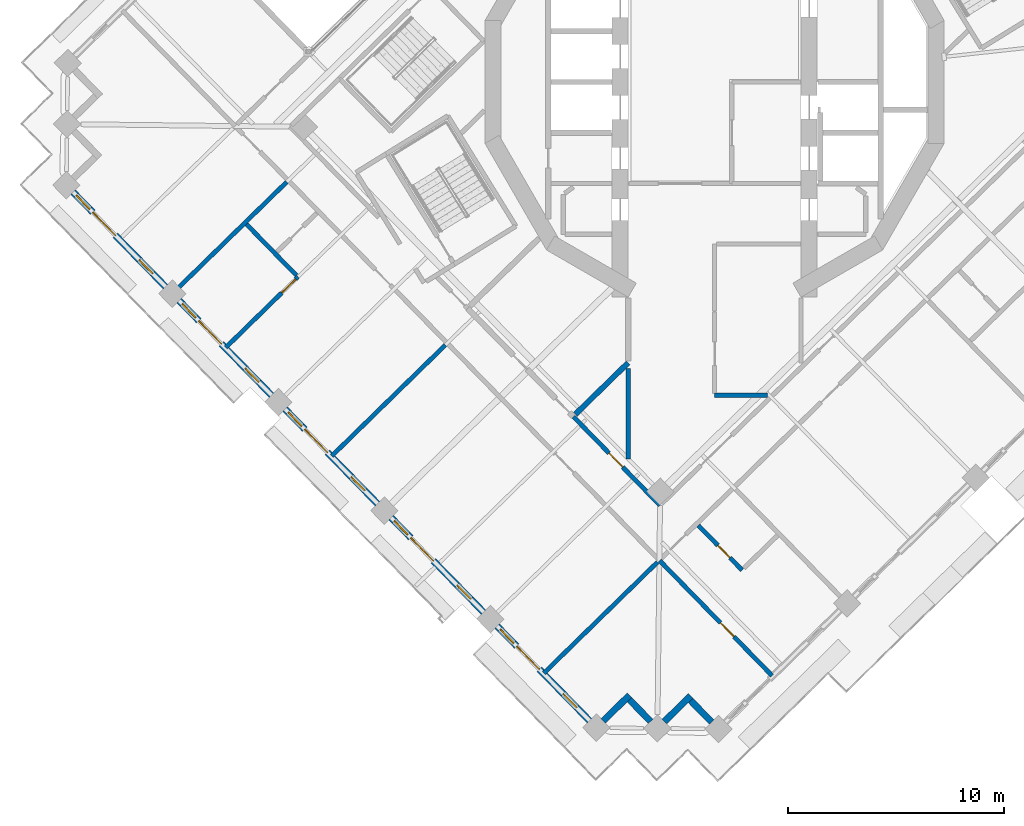
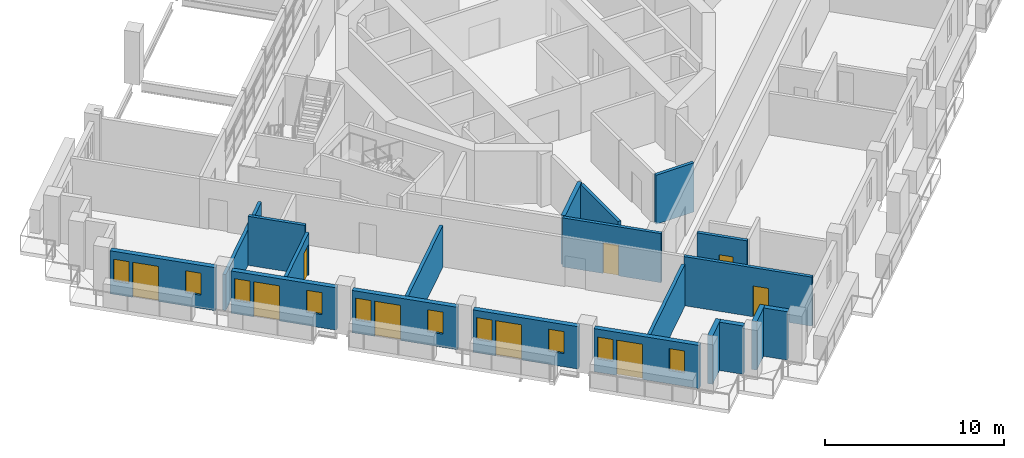
# One storey, part 7 of 21: 20 walls, 10 windows, 9 doors, 19 openings.
"""IFC4 building model written with IfcOpenShell, lengths in metres."""

import ifcopenshell
import ifcopenshell.guid

model = None  # the IFC model being written
_history = None  # IfcOwnerHistory: only IFC2X3 demands one
_inside = {}  # id of a spatial element -> (the spatial element, [elements in it])
_under = {}  # id of a project, library or spatial element -> (it, [spatial elements below it])
_declared = {}  # id of a project -> (the project, [libraries it declares])
_typed = {}  # id of a type object -> (the type object, [elements of that type])
_made_of = {}  # id of a material, layer set ... -> (it, [elements and type objects made of it])


def new_model(schema):
    """Start an empty IFC model of exactly this schema.

    Asked for "IFC4X3", IfcOpenShell would pick the latest addendum, in which some entities
    have other attributes; the version numbers below select the first issue.
    IFC2X3 requires an IfcOwnerHistory on every rooted entity: one is made here for all.
    """
    global model, _history
    if schema == "IFC4X3":
        model = ifcopenshell.file(schema_version=(4, 3, 0, 0))
    else:
        model = ifcopenshell.file(schema=schema)
    _inside.clear()
    _under.clear()
    _declared.clear()
    _typed.clear()
    _made_of.clear()
    _history = None
    if model.schema == "IFC2X3":
        org = make("IfcOrganization", Name="unknown")
        user = make(
            "IfcPersonAndOrganization",
            ThePerson=make("IfcPerson", FamilyName="unknown"),
            TheOrganization=org,
        )
        app = make(
            "IfcApplication",
            ApplicationDeveloper=org,
            Version="unknown",
            ApplicationFullName="unknown",
            ApplicationIdentifier="unknown",
        )
        _history = make(
            "IfcOwnerHistory",
            OwningUser=user,
            OwningApplication=app,
            ChangeAction="ADDED",
            CreationDate=0,
        )
    return model


def make(cls, **values):
    """One entity of the class cls with the attributes given. An attribute that is None is left unset."""
    return model.create_entity(
        cls, **{name: value for name, value in values.items() if value is not None}
    )


def rooted(cls, **values):
    """An entity with a GlobalId (a new one), such as an element, a storey or a relation."""
    return make(cls, GlobalId=ifcopenshell.guid.new(), OwnerHistory=_history, **values)


def si_unit(unit_type, name, prefix=None):
    """IfcSIUnit, for example si_unit("LENGTHUNIT", "METRE", prefix="MILLI")."""
    return make("IfcSIUnit", UnitType=unit_type, Prefix=prefix, Name=name)


def assignment(units):
    """IfcUnitAssignment: the units of a project."""
    return None if units is None else make("IfcUnitAssignment", Units=units)


def point(xyz):
    """IfcCartesianPoint."""
    return None if xyz is None else make("IfcCartesianPoint", Coordinates=xyz)


def direction(xyz):
    """IfcDirection."""
    return None if xyz is None else make("IfcDirection", DirectionRatios=xyz)


def frame(location, z_axis=None, x_axis=None):
    """IfcAxis2Placement3D, a coordinate frame: its origin and axes. An axis left out is left unset."""
    return make(
        "IfcAxis2Placement3D",
        Location=point(location),
        Axis=direction(z_axis),
        RefDirection=direction(x_axis),
    )


def frame_2d(location, x_axis=None):
    """IfcAxis2Placement2D, a coordinate frame in the plane: its origin and x axis."""
    return make(
        "IfcAxis2Placement2D", Location=point(location), RefDirection=direction(x_axis)
    )


def origin():
    """The frame at (0, 0, 0) with its axes left unset."""
    return frame((0.0, 0.0, 0.0))


def place(relative_to, where):
    """IfcLocalPlacement: puts the frame where relative to a parent placement (None: the world)."""
    return make(
        "IfcLocalPlacement", PlacementRelTo=relative_to, RelativePlacement=where
    )


def context(
    kind, dimensions, precision=None, world=None, true_north=None, identifier=None
):
    """IfcGeometricRepresentationContext, for example the 3D "Model" context."""
    return make(
        "IfcGeometricRepresentationContext",
        ContextIdentifier=identifier,
        ContextType=kind,
        CoordinateSpaceDimension=dimensions,
        Precision=precision,
        WorldCoordinateSystem=world,
        TrueNorth=true_north,
    )


def subcontext(parent, identifier, kind, view, scale=None):
    """IfcGeometricRepresentationSubContext, for example "Body" below "Model"."""
    return make(
        "IfcGeometricRepresentationSubContext",
        ContextIdentifier=identifier,
        ContextType=kind,
        ParentContext=parent,
        TargetScale=scale,
        TargetView=view,
    )


def project(units=None, contexts=None):
    """IfcProject with its units and contexts."""
    return rooted(
        "IfcProject",
        Name="project",
        RepresentationContexts=contexts,
        UnitsInContext=assignment(units),
    )


def spatial(cls, under=None, at=None, **own):
    """A site, building, storey or space (cls), placed at a placement, below another one or the project."""
    s = rooted(cls, ObjectPlacement=at, **own)
    if under is not None:
        _under.setdefault(under.id(), (under, []))[1].append(s)
    return s


def profile(cls, at=None, kind="AREA", **sizes):
    """A parametric profile (cls). Its sizes go by their IFC names, for example OverallWidth=200.0."""
    return make(cls, ProfileType=kind, Position=at, **sizes)


def rectangle(**sizes):
    """IfcRectangleProfileDef."""
    return profile("IfcRectangleProfileDef", **sizes)


def extrude(swept, where, along, depth):
    """IfcExtrudedAreaSolid: the profile swept, set in the frame where, extruded along a direction by depth."""
    return make(
        "IfcExtrudedAreaSolid",
        SweptArea=swept,
        Position=where,
        ExtrudedDirection=direction(along),
        Depth=depth,
    )


def shape(context_of_items, identifier, shape_type, items):
    """IfcShapeRepresentation: the items that make up one representation, for example the "Body"."""
    return make(
        "IfcShapeRepresentation",
        ContextOfItems=context_of_items,
        RepresentationIdentifier=identifier,
        RepresentationType=shape_type,
        Items=items,
    )


def material(Name=None, Category=None):
    """IfcMaterial."""
    return make("IfcMaterial", Name=Name, Category=Category)


def layer(
    of_material, thickness, ventilated=None, Name=None, Category=None, Priority=None
):
    """IfcMaterialLayer: one layer of a wall or slab, of a material (None: an air gap)."""
    return make(
        "IfcMaterialLayer",
        Material=of_material,
        LayerThickness=thickness,
        IsVentilated=ventilated,
        Name=Name,
        Category=Category,
        Priority=Priority,
    )


def layer_set(layers, Name=None):
    """IfcMaterialLayerSet."""
    return make("IfcMaterialLayerSet", MaterialLayers=layers, LayerSetName=Name)


def made_of(thing, what):
    """Note that an element or type object is made of a material, layer set ...; save() writes the relation."""
    if what is not None:
        _made_of.setdefault(what.id(), (what, []))[1].append(thing)
    return thing


def type_object(cls, material=None, **own):
    """A type object (cls), such as IfcWallType, which elements share."""
    return made_of(rooted(cls, **own), material)


def element(
    cls,
    number,
    at=None,
    inside=None,
    cuts=None,
    type_object=None,
    material=None,
    context=None,
    identifier="Body",
    shape_type=None,
    held_by="IfcProductDefinitionShape",
    body=None,
    shapes=None,
    **own,
):
    """One element of the class cls, such as IfcWall. Its Tag is "e" and its number.

    at: its placement. inside: the storey or other place that contains it. cuts: it is an
    opening in that element (IfcRelVoidsElement). A single representation is given by context,
    identifier, shape_type and body (its items); several are given by shapes. held_by: the class
    of the entity that holds the representations. save() writes the other relations.
    """
    e = rooted(cls, Tag="e%d" % number, ObjectPlacement=at, **own)
    if body is not None:
        shapes = [shape(context, identifier, shape_type, body)]
    if shapes is not None:
        e.Representation = make(held_by, Representations=shapes)
    if inside is not None:
        _inside.setdefault(inside.id(), (inside, []))[1].append(e)
    if cuts is not None:
        rooted(
            "IfcRelVoidsElement", RelatingBuildingElement=cuts, RelatedOpeningElement=e
        )
    if type_object is not None:
        _typed.setdefault(type_object.id(), (type_object, []))[1].append(e)
    return made_of(e, material)


def fill(opening, filler):
    """IfcRelFillsElement: the door or window that sits in an opening."""
    return rooted(
        "IfcRelFillsElement",
        RelatingOpeningElement=opening,
        RelatedBuildingElement=filler,
    )


def aggregate(whole, parts):
    """IfcRelAggregates: a whole, such as a stair, and the parts it consists of."""
    return rooted("IfcRelAggregates", RelatingObject=whole, RelatedObjects=parts)


def save(model, path):
    """Write the relations noted so far, then the file.

    IfcRelAggregates (storeys below a building ...), IfcRelContainedInSpatialStructure (elements
    in a storey), IfcRelDefinesByType, IfcRelAssociatesMaterial and IfcRelDeclares: one each for
    every whole, place, type object, material and project.
    """
    for whole, parts in _under.values():
        aggregate(whole, parts)
    for where, things in _inside.values():
        rooted(
            "IfcRelContainedInSpatialStructure",
            RelatedElements=things,
            RelatingStructure=where,
        )
    for kind, things in _typed.values():
        rooted("IfcRelDefinesByType", RelatedObjects=things, RelatingType=kind)
    for what, things in _made_of.values():
        rooted("IfcRelAssociatesMaterial", RelatedObjects=things, RelatingMaterial=what)
    for by, libraries in _declared.values():
        rooted("IfcRelDeclares", RelatingContext=by, RelatedDefinitions=libraries)
    model.write(path)


model = new_model("IFC4")

# Units and contexts
model_context = context("Model", 3, precision=1e-05, world=origin(), true_north=direction((0.0, 1.0)))
body_context = subcontext(model_context, "Body", "Model", "MODEL_VIEW")
ifc_project = project(units=[si_unit("LENGTHUNIT", "METRE"), si_unit("AREAUNIT", "SQUARE_METRE"), si_unit("VOLUMEUNIT", "CUBIC_METRE"), si_unit("PLANEANGLEUNIT", "RADIAN"), si_unit("MASSUNIT", "GRAM", prefix="KILO")], contexts=[model_context])

# Site, building, storey
site_placement = place(None, origin())
site = spatial("IfcSite", under=ifc_project, at=site_placement, CompositionType="ELEMENT")
building_placement = place(site_placement, origin())
building = spatial("IfcBuilding", under=site, at=building_placement, Name="Cantera Rosa Tower", CompositionType="ELEMENT")
storey_placement = place(building_placement, frame((0.0, 0.0, 234.199951171875)))
storey = spatial("IfcBuildingStorey", under=building, at=storey_placement, Name="L51", CompositionType="ELEMENT", Elevation=234.199951171875)

# Wall, opening, door
ifc_material_1 = material(Name="Gypsum board partition")
ifc_layer_1 = layer(ifc_material_1, 0.199951171875)
ifc_layer_set_1 = layer_set([ifc_layer_1], Name="CORRIDOR WALL 200 H3350")
wall_type_1 = type_object("IfcWallType", Name="CORRIDOR WALL 200 H3350", PredefinedType="PARTITIONING", material=ifc_layer_set_1)
wall_1_placement = place(storey_placement, frame((-6.530517578125, -15.49560546875, 0.0), z_axis=(0.0, 0.0, 1.0), x_axis=(0.698835362026, -0.715282557303, 0.0)))
wall_1 = element("IfcWall", 1, at=wall_1_placement, inside=storey, type_object=wall_type_1, Name="CORRIDOR WALL L51-040", PredefinedType="PARTITIONING", context=body_context, shape_type="SweptSolid", body=[
    extrude(rectangle(XDim=5.729736328125, YDim=0.199951171875, at=frame_2d((2.86474609375, 0.0))), origin(), (0.0, 0.0, 1.0), 3.35009765625),
])
opening_1_placement = place(wall_1_placement, frame((2.351806640625, 0.0, 0.0)))
opening_1 = element("IfcOpeningElement", 2, at=opening_1_placement, cuts=wall_1, Name="Opening L51-011", PredefinedType="OPENING", context=body_context, shape_type="SweptSolid", body=[
    extrude(rectangle(XDim=0.89990234375, YDim=2.10009765625, at=frame_2d((0.449951171875, 1.050048828125))), frame((0.0, 0.10986328125, 0.0), z_axis=(0.0, -1.0, 0.0), x_axis=(1.0, 0.0, 0.0)), (0.0, 0.0, 1.0), 0.219970703125),
])
ifc_material_2 = material(Name="Timber door leaf", Category="wood")
door_type_1 = type_object("IfcDoorType", Name="SERVICE DOOR 900x2100", OperationType="NOTDEFINED", PredefinedType="DOOR", material=ifc_material_2)
door_1_placement = place(opening_1_placement, origin())
door_1 = element("IfcDoor", 3, at=door_1_placement, inside=storey, type_object=door_type_1, Name="DOOR L51-011", OperationType="NOTDEFINED", OverallHeight=2.10009765625, OverallWidth=0.89990234375, PredefinedType="DOOR", context=body_context, shape_type="SweptSolid", body=[
    extrude(rectangle(XDim=0.89990234375, YDim=2.10009765625, at=frame_2d((0.449951171875, 1.050048828125))), frame((0.0, 0.02490234375, 0.0), z_axis=(0.0, -1.0, 0.0), x_axis=(1.0, 0.0, 0.0)), (0.0, 0.0, 1.0), 0.050048828125),
])
fill(opening_1, door_1)

# Walls
wall_2_placement = place(storey_placement, frame((-4.0, -13.25537109375, 0.0), z_axis=(0.0, 0.0, 1.0), x_axis=(0.0, -1.0, 0.0)))
element("IfcWall", 4, at=wall_2_placement, inside=storey, type_object=wall_type_1, Name="CORRIDOR WALL L51-046", PredefinedType="PARTITIONING", context=body_context, shape_type="SweptSolid", body=[
    extrude(rectangle(XDim=4.1865234375, YDim=0.199951171875, at=frame_2d((2.09326171875, 0.0))), origin(), (0.0, 0.0, 1.0), 3.35009765625),
])
wall_3_placement = place(storey_placement, frame((0.0, -14.5, 0.0), z_axis=(0.0, 0.0, 1.0), x_axis=(1.0, 0.0, 0.0)))
element("IfcWall", 5, at=wall_3_placement, inside=storey, type_object=wall_type_1, Name="CORRIDOR WALL L51-056", PredefinedType="PARTITIONING", context=body_context, shape_type="SweptSolid", body=[
    extrude(rectangle(XDim=2.44775390625, YDim=0.199951171875, at=frame_2d((1.223876953125, 0.0))), origin(), (0.0, 0.0, 1.0), 3.35009765625),
])
ifc_material_3 = material(Name="Hollow clay masonry with cantera stone cladding", Category="masonry")
ifc_layer_2 = layer(ifc_material_3, 0.300048828125)
ifc_layer_set_2 = layer_set([ifc_layer_2], Name="EW-LOGGIA 300")
wall_type_2 = type_object("IfcWallType", Name="EW-LOGGIA 300", PredefinedType="SOLIDWALL", material=ifc_layer_set_2)
wall_4_placement = place(storey_placement, frame((-5.15283203125, -29.56982421875, 0.0), z_axis=(0.0, 0.0, 1.0), x_axis=(0.715316077832, 0.69880105094, 0.0)))
element("IfcWall", 6, at=wall_4_placement, inside=storey, type_object=wall_type_2, Name="EN-L51-W19a", PredefinedType="SOLIDWALL", context=body_context, shape_type="SweptSolid", body=[
    extrude(rectangle(XDim=1.699951171875, YDim=0.300048828125, at=frame_2d((0.85009765625, 0.0))), origin(), (0.0, 0.0, 1.0), 3.300048828125),
])
wall_5_placement = place(storey_placement, frame((-3.939208984375, -28.593994140625, 0.0), z_axis=(0.0, 0.0, 1.0), x_axis=(0.698861982187, -0.715256548278, 0.0)))
element("IfcWall", 7, at=wall_5_placement, inside=storey, type_object=wall_type_2, Name="EN-L51-W19b", PredefinedType="SOLIDWALL", context=body_context, shape_type="SweptSolid", body=[
    extrude(rectangle(XDim=1.39990234375, YDim=0.300048828125, at=frame_2d((0.699951171875, 0.0))), origin(), (0.0, 0.0, 1.0), 3.300048828125),
])
wall_6_placement = place(storey_placement, frame((-2.324462890625, -29.602783203125, 0.0), z_axis=(0.0, 0.0, 1.0), x_axis=(0.715316077832, 0.69880105094, 0.0)))
element("IfcWall", 8, at=wall_6_placement, inside=storey, type_object=wall_type_2, Name="EN-L51-W20a", PredefinedType="SOLIDWALL", context=body_context, shape_type="SweptSolid", body=[
    extrude(rectangle(XDim=1.699951171875, YDim=0.300048828125, at=frame_2d((0.85009765625, 0.0))), origin(), (0.0, 0.0, 1.0), 3.300048828125),
])
wall_7_placement = place(storey_placement, frame((-1.111083984375, -28.626953125, 0.0), z_axis=(0.0, 0.0, 1.0), x_axis=(0.698951192766, -0.71516937164, 0.0)))
element("IfcWall", 9, at=wall_7_placement, inside=storey, type_object=wall_type_2, Name="EN-L51-W20b", PredefinedType="SOLIDWALL", context=body_context, shape_type="SweptSolid", body=[
    extrude(rectangle(XDim=1.39990234375, YDim=0.300048828125, at=frame_2d((0.699951171875, 0.0))), origin(), (0.0, 0.0, 1.0), 3.300048828125),
])

# Wall, openings, windows, door
ifc_material_4 = material(Name="Hollow clay masonry with cantera stone cladding", Category="masonry")
ifc_layer_3 = layer(ifc_material_4, 0.300048828125)
ifc_layer_set_3 = layer_set([ifc_layer_3], Name="EW-LOGGIA 300 H2890")
wall_type_3 = type_object("IfcWallType", Name="EW-LOGGIA 300 H2890", PredefinedType="SOLIDWALL", material=ifc_layer_set_3)
wall_8_placement = place(storey_placement, frame((-24.783203125, -10.120849609375, 0.0), z_axis=(0.0, 0.0, 1.0), x_axis=(0.698800768177, -0.715316354067, 0.0)))
wall_8 = element("IfcWall", 10, at=wall_8_placement, inside=storey, type_object=wall_type_3, Name="EN-L51-W15", PredefinedType="SOLIDWALL", context=body_context, shape_type="SweptSolid", body=[
    extrude(rectangle(XDim=6.119873046875, YDim=0.300048828125, at=frame_2d((3.06005859375, 0.0))), origin(), (0.0, 0.0, 1.0), 2.89013671875),
])
opening_2_placement = place(wall_8_placement, frame((0.199951171875, 0.0, 0.89990234375)))
opening_2 = element("IfcOpeningElement", 11, at=opening_2_placement, cuts=wall_8, Name="Opening L51-W25", PredefinedType="OPENING", context=body_context, shape_type="SweptSolid", body=[
    extrude(rectangle(XDim=0.89990234375, YDim=1.5, at=frame_2d((0.449951171875, 0.75))), frame((0.0, 0.159912109375, 0.0), z_axis=(0.0, -1.0, 0.0), x_axis=(1.0, 0.0, 0.0)), (0.0, 0.0, 1.0), 0.320068359375),
])
opening_3_placement = place(wall_8_placement, frame((1.300048828125, 0.0, 0.0)))
opening_3 = element("IfcOpeningElement", 12, at=opening_3_placement, cuts=wall_8, Name="Opening L51-TD26", PredefinedType="OPENING", context=body_context, shape_type="SweptSolid", body=[
    extrude(rectangle(XDim=1.5, YDim=2.39990234375, at=frame_2d((0.75, 1.199951171875))), frame((0.0, 0.159912109375, 0.0), z_axis=(0.0, -1.0, 0.0), x_axis=(1.0, 0.0, 0.0)), (0.0, 0.0, 1.0), 0.320068359375),
])
opening_4_placement = place(wall_8_placement, frame((4.364990234375, 0.0, 0.89990234375)))
opening_4 = element("IfcOpeningElement", 13, at=opening_4_placement, cuts=wall_8, Name="Opening L51-W27", PredefinedType="OPENING", context=body_context, shape_type="SweptSolid", body=[
    extrude(rectangle(XDim=0.89990234375, YDim=1.5, at=frame_2d((0.449951171875, 0.75))), frame((0.0, 0.159912109375, 0.0), z_axis=(0.0, -1.0, 0.0), x_axis=(1.0, 0.0, 0.0)), (0.0, 0.0, 1.0), 0.320068359375),
])
ifc_material_5 = material(Name="Aluminium frame with clear glass", Category="aluminium")
window_type = type_object("IfcWindowType", Name="Residential window 900x1500", PartitioningType="SINGLE_PANEL", PredefinedType="WINDOW", material=ifc_material_5)
window_1_placement = place(opening_2_placement, origin())
window_1 = element("IfcWindow", 14, at=window_1_placement, inside=storey, type_object=window_type, Name="WINDOW L51-W25", OverallHeight=1.5, OverallWidth=0.89990234375, PartitioningType="SINGLE_PANEL", PredefinedType="WINDOW", context=body_context, shape_type="SweptSolid", body=[
    extrude(rectangle(XDim=0.89990234375, YDim=1.5, at=frame_2d((0.449951171875, 0.75))), frame((0.0, 0.030029296875, 0.0), z_axis=(0.0, -1.0, 0.0), x_axis=(1.0, 0.0, 0.0)), (0.0, 0.0, 1.0), 0.06005859375),
])
fill(opening_2, window_1)
window_2_placement = place(opening_4_placement, origin())
window_2 = element("IfcWindow", 15, at=window_2_placement, inside=storey, type_object=window_type, Name="WINDOW L51-W27", OverallHeight=1.5, OverallWidth=0.89990234375, PartitioningType="SINGLE_PANEL", PredefinedType="WINDOW", context=body_context, shape_type="SweptSolid", body=[
    extrude(rectangle(XDim=0.89990234375, YDim=1.5, at=frame_2d((0.449951171875, 0.75))), frame((0.0, 0.030029296875, 0.0), z_axis=(0.0, -1.0, 0.0), x_axis=(1.0, 0.0, 0.0)), (0.0, 0.0, 1.0), 0.06005859375),
])
fill(opening_4, window_2)
ifc_material_6 = material(Name="Aluminium frame with clear glass", Category="aluminium")
door_type_2 = type_object("IfcDoorType", Name="TD-R 1500x2400", OperationType="NOTDEFINED", PredefinedType="DOOR", material=ifc_material_6)
door_2_placement = place(opening_3_placement, origin())
door_2 = element("IfcDoor", 16, at=door_2_placement, inside=storey, type_object=door_type_2, Name="LOGGIA DOOR L51-TD26", OperationType="SLIDING_TO_LEFT", OverallHeight=2.39990234375, OverallWidth=1.5, PredefinedType="DOOR", context=body_context, shape_type="SweptSolid", body=[
    extrude(rectangle(XDim=1.5, YDim=2.39990234375, at=frame_2d((0.75, 1.199951171875))), frame((0.0, 0.02490234375, 0.0), z_axis=(0.0, -1.0, 0.0), x_axis=(1.0, 0.0, 0.0)), (0.0, 0.0, 1.0), 0.050048828125),
])
fill(opening_3, door_2)

wall_9_placement = place(storey_placement, frame((-19.87744140625, -15.142333984375, 0.0), z_axis=(0.0, 0.0, 1.0), x_axis=(0.698841120217, -0.71527693147, 0.0)))
wall_9 = element("IfcWall", 17, at=wall_9_placement, inside=storey, type_object=wall_type_3, Name="EN-L51-W16", PredefinedType="SOLIDWALL", context=body_context, shape_type="SweptSolid", body=[
    extrude(rectangle(XDim=6.119873046875, YDim=0.300048828125, at=frame_2d((3.06005859375, 0.0))), origin(), (0.0, 0.0, 1.0), 2.89013671875),
])
opening_5_placement = place(wall_9_placement, frame((0.199951171875, 0.0, 0.89990234375)))
opening_5 = element("IfcOpeningElement", 18, at=opening_5_placement, cuts=wall_9, Name="Opening L51-W28", PredefinedType="OPENING", context=body_context, shape_type="SweptSolid", body=[
    extrude(rectangle(XDim=0.89990234375, YDim=1.5, at=frame_2d((0.449951171875, 0.75))), frame((0.0, 0.159912109375, 0.0), z_axis=(0.0, -1.0, 0.0), x_axis=(1.0, 0.0, 0.0)), (0.0, 0.0, 1.0), 0.320068359375),
])
opening_6_placement = place(wall_9_placement, frame((1.300048828125, 0.0, 0.0)))
opening_6 = element("IfcOpeningElement", 19, at=opening_6_placement, cuts=wall_9, Name="Opening L51-TD29", PredefinedType="OPENING", context=body_context, shape_type="SweptSolid", body=[
    extrude(rectangle(XDim=1.5, YDim=2.39990234375, at=frame_2d((0.75, 1.199951171875))), frame((0.0, 0.159912109375, 0.0), z_axis=(0.0, -1.0, 0.0), x_axis=(1.0, 0.0, 0.0)), (0.0, 0.0, 1.0), 0.320068359375),
])
opening_7_placement = place(wall_9_placement, frame((4.364990234375, 0.0, 0.89990234375)))
opening_7 = element("IfcOpeningElement", 20, at=opening_7_placement, cuts=wall_9, Name="Opening L51-W30", PredefinedType="OPENING", context=body_context, shape_type="SweptSolid", body=[
    extrude(rectangle(XDim=0.89990234375, YDim=1.5, at=frame_2d((0.449951171875, 0.75))), frame((0.0, 0.159912109375, 0.0), z_axis=(0.0, -1.0, 0.0), x_axis=(1.0, 0.0, 0.0)), (0.0, 0.0, 1.0), 0.320068359375),
])
window_3_placement = place(opening_5_placement, origin())
window_3 = element("IfcWindow", 21, at=window_3_placement, inside=storey, type_object=window_type, Name="WINDOW L51-W28", OverallHeight=1.5, OverallWidth=0.89990234375, PartitioningType="SINGLE_PANEL", PredefinedType="WINDOW", context=body_context, shape_type="SweptSolid", body=[
    extrude(rectangle(XDim=0.89990234375, YDim=1.5, at=frame_2d((0.449951171875, 0.75))), frame((0.0, 0.030029296875, 0.0), z_axis=(0.0, -1.0, 0.0), x_axis=(1.0, 0.0, 0.0)), (0.0, 0.0, 1.0), 0.06005859375),
])
fill(opening_5, window_3)
window_4_placement = place(opening_7_placement, origin())
window_4 = element("IfcWindow", 22, at=window_4_placement, inside=storey, type_object=window_type, Name="WINDOW L51-W30", OverallHeight=1.5, OverallWidth=0.89990234375, PartitioningType="SINGLE_PANEL", PredefinedType="WINDOW", context=body_context, shape_type="SweptSolid", body=[
    extrude(rectangle(XDim=0.89990234375, YDim=1.5, at=frame_2d((0.449951171875, 0.75))), frame((0.0, 0.030029296875, 0.0), z_axis=(0.0, -1.0, 0.0), x_axis=(1.0, 0.0, 0.0)), (0.0, 0.0, 1.0), 0.06005859375),
])
fill(opening_7, window_4)
door_3_placement = place(opening_6_placement, origin())
door_3 = element("IfcDoor", 23, at=door_3_placement, inside=storey, type_object=door_type_2, Name="LOGGIA DOOR L51-TD29", OperationType="SLIDING_TO_LEFT", OverallHeight=2.39990234375, OverallWidth=1.5, PredefinedType="DOOR", context=body_context, shape_type="SweptSolid", body=[
    extrude(rectangle(XDim=1.5, YDim=2.39990234375, at=frame_2d((0.75, 1.199951171875))), frame((0.0, 0.02490234375, 0.0), z_axis=(0.0, -1.0, 0.0), x_axis=(1.0, 0.0, 0.0)), (0.0, 0.0, 1.0), 0.050048828125),
])
fill(opening_6, door_3)

wall_10_placement = place(storey_placement, frame((-14.9716796875, -20.16357421875, 0.0), z_axis=(0.0, 0.0, 1.0), x_axis=(0.698841120217, -0.71527693147, 0.0)))
wall_10 = element("IfcWall", 24, at=wall_10_placement, inside=storey, type_object=wall_type_3, Name="EN-L51-W17", PredefinedType="SOLIDWALL", context=body_context, shape_type="SweptSolid", body=[
    extrude(rectangle(XDim=6.119873046875, YDim=0.300048828125, at=frame_2d((3.06005859375, 0.0))), origin(), (0.0, 0.0, 1.0), 2.89013671875),
])
opening_8_placement = place(wall_10_placement, frame((0.199951171875, 0.0, 0.89990234375)))
opening_8 = element("IfcOpeningElement", 25, at=opening_8_placement, cuts=wall_10, Name="Opening L51-W31", PredefinedType="OPENING", context=body_context, shape_type="SweptSolid", body=[
    extrude(rectangle(XDim=0.89990234375, YDim=1.5, at=frame_2d((0.449951171875, 0.75))), frame((0.0, 0.159912109375, 0.0), z_axis=(0.0, -1.0, 0.0), x_axis=(1.0, 0.0, 0.0)), (0.0, 0.0, 1.0), 0.320068359375),
])
opening_9_placement = place(wall_10_placement, frame((1.300048828125, 0.0, 0.0)))
opening_9 = element("IfcOpeningElement", 26, at=opening_9_placement, cuts=wall_10, Name="Opening L51-TD32", PredefinedType="OPENING", context=body_context, shape_type="SweptSolid", body=[
    extrude(rectangle(XDim=1.5, YDim=2.39990234375, at=frame_2d((0.75, 1.199951171875))), frame((0.0, 0.159912109375, 0.0), z_axis=(0.0, -1.0, 0.0), x_axis=(1.0, 0.0, 0.0)), (0.0, 0.0, 1.0), 0.320068359375),
])
opening_10_placement = place(wall_10_placement, frame((4.364990234375, 0.0, 0.89990234375)))
opening_10 = element("IfcOpeningElement", 27, at=opening_10_placement, cuts=wall_10, Name="Opening L51-W33", PredefinedType="OPENING", context=body_context, shape_type="SweptSolid", body=[
    extrude(rectangle(XDim=0.89990234375, YDim=1.5, at=frame_2d((0.449951171875, 0.75))), frame((0.0, 0.159912109375, 0.0), z_axis=(0.0, -1.0, 0.0), x_axis=(1.0, 0.0, 0.0)), (0.0, 0.0, 1.0), 0.320068359375),
])
window_5_placement = place(opening_8_placement, origin())
window_5 = element("IfcWindow", 28, at=window_5_placement, inside=storey, type_object=window_type, Name="WINDOW L51-W31", OverallHeight=1.5, OverallWidth=0.89990234375, PartitioningType="SINGLE_PANEL", PredefinedType="WINDOW", context=body_context, shape_type="SweptSolid", body=[
    extrude(rectangle(XDim=0.89990234375, YDim=1.5, at=frame_2d((0.449951171875, 0.75))), frame((0.0, 0.030029296875, 0.0), z_axis=(0.0, -1.0, 0.0), x_axis=(1.0, 0.0, 0.0)), (0.0, 0.0, 1.0), 0.06005859375),
])
fill(opening_8, window_5)
window_6_placement = place(opening_10_placement, origin())
window_6 = element("IfcWindow", 29, at=window_6_placement, inside=storey, type_object=window_type, Name="WINDOW L51-W33", OverallHeight=1.5, OverallWidth=0.89990234375, PartitioningType="SINGLE_PANEL", PredefinedType="WINDOW", context=body_context, shape_type="SweptSolid", body=[
    extrude(rectangle(XDim=0.89990234375, YDim=1.5, at=frame_2d((0.449951171875, 0.75))), frame((0.0, 0.030029296875, 0.0), z_axis=(0.0, -1.0, 0.0), x_axis=(1.0, 0.0, 0.0)), (0.0, 0.0, 1.0), 0.06005859375),
])
fill(opening_10, window_6)
door_4_placement = place(opening_9_placement, origin())
door_4 = element("IfcDoor", 30, at=door_4_placement, inside=storey, type_object=door_type_2, Name="LOGGIA DOOR L51-TD32", OperationType="SLIDING_TO_LEFT", OverallHeight=2.39990234375, OverallWidth=1.5, PredefinedType="DOOR", context=body_context, shape_type="SweptSolid", body=[
    extrude(rectangle(XDim=1.5, YDim=2.39990234375, at=frame_2d((0.75, 1.199951171875))), frame((0.0, 0.02490234375, 0.0), z_axis=(0.0, -1.0, 0.0), x_axis=(1.0, 0.0, 0.0)), (0.0, 0.0, 1.0), 0.050048828125),
])
fill(opening_9, door_4)

ifc_material_7 = material(Name="Hollow clay masonry with cantera stone cladding", Category="masonry")
ifc_layer_4 = layer(ifc_material_7, 0.300048828125)
ifc_layer_set_4 = layer_set([ifc_layer_4], Name="EW-LOGGIA 300 H2940")
wall_type_4 = type_object("IfcWallType", Name="EW-LOGGIA 300 H2940", PredefinedType="SOLIDWALL", material=ifc_layer_set_4)
wall_11_placement = place(storey_placement, frame((-29.689208984375, -5.099609375, 0.0), z_axis=(0.0, 0.0, 1.0), x_axis=(0.69882117953, -0.715296413412, 0.0)))
wall_11 = element("IfcWall", 31, at=wall_11_placement, inside=storey, type_object=wall_type_4, Name="EN-L51-W14", PredefinedType="SOLIDWALL", context=body_context, shape_type="SweptSolid", body=[
    extrude(rectangle(XDim=6.1201171875, YDim=0.300048828125, at=frame_2d((3.06005859375, 0.0))), origin(), (0.0, 0.0, 1.0), 2.93994140625),
])
opening_11_placement = place(wall_11_placement, frame((0.199951171875, 0.0, 0.89990234375)))
opening_11 = element("IfcOpeningElement", 32, at=opening_11_placement, cuts=wall_11, Name="Opening L51-W22", PredefinedType="OPENING", context=body_context, shape_type="SweptSolid", body=[
    extrude(rectangle(XDim=0.89990234375, YDim=1.5, at=frame_2d((0.449951171875, 0.75))), frame((0.0, 0.159912109375, 0.0), z_axis=(0.0, -1.0, 0.0), x_axis=(1.0, 0.0, 0.0)), (0.0, 0.0, 1.0), 0.320068359375),
])
opening_12_placement = place(wall_11_placement, frame((1.300048828125, 0.0, 0.0)))
opening_12 = element("IfcOpeningElement", 33, at=opening_12_placement, cuts=wall_11, Name="Opening L51-TD23", PredefinedType="OPENING", context=body_context, shape_type="SweptSolid", body=[
    extrude(rectangle(XDim=1.5, YDim=2.39990234375, at=frame_2d((0.75, 1.199951171875))), frame((0.0, 0.159912109375, 0.0), z_axis=(0.0, -1.0, 0.0), x_axis=(1.0, 0.0, 0.0)), (0.0, 0.0, 1.0), 0.320068359375),
])
opening_13_placement = place(wall_11_placement, frame((4.364990234375, 0.0, 0.89990234375)))
opening_13 = element("IfcOpeningElement", 34, at=opening_13_placement, cuts=wall_11, Name="Opening L51-W24", PredefinedType="OPENING", context=body_context, shape_type="SweptSolid", body=[
    extrude(rectangle(XDim=0.89990234375, YDim=1.5, at=frame_2d((0.449951171875, 0.75))), frame((0.0, 0.159912109375, 0.0), z_axis=(0.0, -1.0, 0.0), x_axis=(1.0, 0.0, 0.0)), (0.0, 0.0, 1.0), 0.320068359375),
])
window_7_placement = place(opening_11_placement, origin())
window_7 = element("IfcWindow", 35, at=window_7_placement, inside=storey, type_object=window_type, Name="WINDOW L51-W22", OverallHeight=1.5, OverallWidth=0.89990234375, PartitioningType="SINGLE_PANEL", PredefinedType="WINDOW", context=body_context, shape_type="SweptSolid", body=[
    extrude(rectangle(XDim=0.89990234375, YDim=1.5, at=frame_2d((0.449951171875, 0.75))), frame((0.0, 0.030029296875, 0.0), z_axis=(0.0, -1.0, 0.0), x_axis=(1.0, 0.0, 0.0)), (0.0, 0.0, 1.0), 0.06005859375),
])
fill(opening_11, window_7)
window_8_placement = place(opening_13_placement, origin())
window_8 = element("IfcWindow", 36, at=window_8_placement, inside=storey, type_object=window_type, Name="WINDOW L51-W24", OverallHeight=1.5, OverallWidth=0.89990234375, PartitioningType="SINGLE_PANEL", PredefinedType="WINDOW", context=body_context, shape_type="SweptSolid", body=[
    extrude(rectangle(XDim=0.89990234375, YDim=1.5, at=frame_2d((0.449951171875, 0.75))), frame((0.0, 0.030029296875, 0.0), z_axis=(0.0, -1.0, 0.0), x_axis=(1.0, 0.0, 0.0)), (0.0, 0.0, 1.0), 0.06005859375),
])
fill(opening_13, window_8)
door_5_placement = place(opening_12_placement, origin())
door_5 = element("IfcDoor", 37, at=door_5_placement, inside=storey, type_object=door_type_2, Name="LOGGIA DOOR L51-TD23", OperationType="SLIDING_TO_LEFT", OverallHeight=2.39990234375, OverallWidth=1.5, PredefinedType="DOOR", context=body_context, shape_type="SweptSolid", body=[
    extrude(rectangle(XDim=1.5, YDim=2.39990234375, at=frame_2d((0.75, 1.199951171875))), frame((0.0, 0.02490234375, 0.0), z_axis=(0.0, -1.0, 0.0), x_axis=(1.0, 0.0, 0.0)), (0.0, 0.0, 1.0), 0.050048828125),
])
fill(opening_12, door_5)

wall_12_placement = place(storey_placement, frame((-10.06591796875, -25.184814453125, 0.0), z_axis=(0.0, 0.0, 1.0), x_axis=(0.69882117953, -0.715296413412, 0.0)))
wall_12 = element("IfcWall", 38, at=wall_12_placement, inside=storey, type_object=wall_type_4, Name="EN-L51-W18", PredefinedType="SOLIDWALL", context=body_context, shape_type="SweptSolid", body=[
    extrude(rectangle(XDim=6.1201171875, YDim=0.300048828125, at=frame_2d((3.06005859375, 0.0))), origin(), (0.0, 0.0, 1.0), 2.93994140625),
])
opening_14_placement = place(wall_12_placement, frame((0.199951171875, 0.0, 0.89990234375)))
opening_14 = element("IfcOpeningElement", 39, at=opening_14_placement, cuts=wall_12, Name="Opening L51-W34", PredefinedType="OPENING", context=body_context, shape_type="SweptSolid", body=[
    extrude(rectangle(XDim=0.89990234375, YDim=1.5, at=frame_2d((0.449951171875, 0.75))), frame((0.0, 0.159912109375, 0.0), z_axis=(0.0, -1.0, 0.0), x_axis=(1.0, 0.0, 0.0)), (0.0, 0.0, 1.0), 0.320068359375),
])
opening_15_placement = place(wall_12_placement, frame((1.300048828125, 0.0, 0.0)))
opening_15 = element("IfcOpeningElement", 40, at=opening_15_placement, cuts=wall_12, Name="Opening L51-TD35", PredefinedType="OPENING", context=body_context, shape_type="SweptSolid", body=[
    extrude(rectangle(XDim=1.5, YDim=2.39990234375, at=frame_2d((0.75, 1.199951171875))), frame((0.0, 0.159912109375, 0.0), z_axis=(0.0, -1.0, 0.0), x_axis=(1.0, 0.0, 0.0)), (0.0, 0.0, 1.0), 0.320068359375),
])
opening_16_placement = place(wall_12_placement, frame((4.364990234375, 0.0, 0.89990234375)))
opening_16 = element("IfcOpeningElement", 41, at=opening_16_placement, cuts=wall_12, Name="Opening L51-W36", PredefinedType="OPENING", context=body_context, shape_type="SweptSolid", body=[
    extrude(rectangle(XDim=0.89990234375, YDim=1.5, at=frame_2d((0.449951171875, 0.75))), frame((0.0, 0.159912109375, 0.0), z_axis=(0.0, -1.0, 0.0), x_axis=(1.0, 0.0, 0.0)), (0.0, 0.0, 1.0), 0.320068359375),
])
window_9_placement = place(opening_14_placement, origin())
window_9 = element("IfcWindow", 42, at=window_9_placement, inside=storey, type_object=window_type, Name="WINDOW L51-W34", OverallHeight=1.5, OverallWidth=0.89990234375, PartitioningType="SINGLE_PANEL", PredefinedType="WINDOW", context=body_context, shape_type="SweptSolid", body=[
    extrude(rectangle(XDim=0.89990234375, YDim=1.5, at=frame_2d((0.449951171875, 0.75))), frame((0.0, 0.030029296875, 0.0), z_axis=(0.0, -1.0, 0.0), x_axis=(1.0, 0.0, 0.0)), (0.0, 0.0, 1.0), 0.06005859375),
])
fill(opening_14, window_9)
window_10_placement = place(opening_16_placement, origin())
window_10 = element("IfcWindow", 43, at=window_10_placement, inside=storey, type_object=window_type, Name="WINDOW L51-W36", OverallHeight=1.5, OverallWidth=0.89990234375, PartitioningType="SINGLE_PANEL", PredefinedType="WINDOW", context=body_context, shape_type="SweptSolid", body=[
    extrude(rectangle(XDim=0.89990234375, YDim=1.5, at=frame_2d((0.449951171875, 0.75))), frame((0.0, 0.030029296875, 0.0), z_axis=(0.0, -1.0, 0.0), x_axis=(1.0, 0.0, 0.0)), (0.0, 0.0, 1.0), 0.06005859375),
])
fill(opening_16, window_10)
door_6_placement = place(opening_15_placement, origin())
door_6 = element("IfcDoor", 44, at=door_6_placement, inside=storey, type_object=door_type_2, Name="LOGGIA DOOR L51-TD35", OperationType="SLIDING_TO_LEFT", OverallHeight=2.39990234375, OverallWidth=1.5, PredefinedType="DOOR", context=body_context, shape_type="SweptSolid", body=[
    extrude(rectangle(XDim=1.5, YDim=2.39990234375, at=frame_2d((0.75, 1.199951171875))), frame((0.0, 0.02490234375, 0.0), z_axis=(0.0, -1.0, 0.0), x_axis=(1.0, 0.0, 0.0)), (0.0, 0.0, 1.0), 0.050048828125),
])
fill(opening_15, door_6)

# Wall, opening, door
ifc_material_8 = material(Name="Gypsum board partition")
ifc_layer_5 = layer(ifc_material_8, 0.199951171875)
ifc_layer_set_5 = layer_set([ifc_layer_5], Name="PARTITION 200 H2850")
wall_type_5 = type_object("IfcWallType", Name="PARTITION 200 H2850", PredefinedType="PARTITIONING", material=ifc_layer_set_5)
wall_13_placement = place(storey_placement, frame((-19.283203125, -9.025146484375, 0.0), z_axis=(0.0, 0.0, 1.0), x_axis=(-0.715241248144, -0.698877640903, 0.0)))
wall_13 = element("IfcWall", 45, at=wall_13_placement, inside=storey, type_object=wall_type_5, Name="PARTITION L51-006", PredefinedType="PARTITIONING", context=body_context, shape_type="SweptSolid", body=[
    extrude(rectangle(XDim=4.669921875, YDim=0.199951171875, at=frame_2d((2.3349609375, 0.0))), origin(), (0.0, 0.0, 1.0), 2.85009765625),
])
opening_17_placement = place(wall_13_placement, frame((0.14990234375, 0.0, 0.0)))
opening_17 = element("IfcOpeningElement", 46, at=opening_17_placement, cuts=wall_13, Name="Opening L51-041", PredefinedType="OPENING", context=body_context, shape_type="SweptSolid", body=[
    extrude(rectangle(XDim=0.89990234375, YDim=2.10009765625, at=frame_2d((0.449951171875, 1.050048828125))), frame((0.0, 0.10986328125, 0.0), z_axis=(0.0, -1.0, 0.0), x_axis=(1.0, 0.0, 0.0)), (0.0, 0.0, 1.0), 0.219970703125),
])
ifc_material_9 = material(Name="Timber door leaf", Category="wood")
door_type_3 = type_object("IfcDoorType", Name="ROOM DOOR 900x2100", OperationType="NOTDEFINED", PredefinedType="DOOR", material=ifc_material_9)
door_7_placement = place(opening_17_placement, origin())
door_7 = element("IfcDoor", 47, at=door_7_placement, inside=storey, type_object=door_type_3, Name="DOOR L51-041", OperationType="NOTDEFINED", OverallHeight=2.10009765625, OverallWidth=0.89990234375, PredefinedType="DOOR", context=body_context, shape_type="SweptSolid", body=[
    extrude(rectangle(XDim=0.89990234375, YDim=2.10009765625, at=frame_2d((0.449951171875, 1.050048828125))), frame((0.0, 0.02490234375, 0.0), z_axis=(0.0, -1.0, 0.0), x_axis=(1.0, 0.0, 0.0)), (0.0, 0.0, 1.0), 0.050048828125),
])
fill(opening_17, door_7)

# Wall
ifc_material_10 = material(Name="Gypsum board partition")
ifc_layer_6 = layer(ifc_material_10, 0.199951171875)
ifc_layer_set_6 = layer_set([ifc_layer_6], Name="PARTITION 200 H3350")
wall_type_6 = type_object("IfcWallType", Name="PARTITION 200 H3350", PredefinedType="PARTITIONING", material=ifc_layer_set_6)
wall_14_placement = place(storey_placement, frame((-19.352783203125, -8.95361328125, 0.0), z_axis=(0.0, 0.0, 1.0), x_axis=(-0.698872066816, 0.715246694661, 0.0)))
element("IfcWall", 48, at=wall_14_placement, inside=storey, type_object=wall_type_6, Name="PARTITION L51-007", PredefinedType="PARTITIONING", context=body_context, shape_type="SweptSolid", body=[
    extrude(rectangle(XDim=3.31005859375, YDim=0.199951171875, at=frame_2d((1.655029296875, 0.0))), origin(), (0.0, 0.0, 1.0), 3.35009765625),
])

# Wall, opening, door
wall_15_placement = place(storey_placement, frame((-2.5419921875, -22.15380859375, 0.0), z_axis=(0.0, 0.0, 1.0), x_axis=(0.698833512296, -0.715284364496, 0.0)))
wall_15 = element("IfcWall", 49, at=wall_15_placement, inside=storey, type_object=wall_type_6, Name="PARTITION L51-053", PredefinedType="PARTITIONING", context=body_context, shape_type="SweptSolid", body=[
    extrude(rectangle(XDim=7.449951171875, YDim=0.199951171875, at=frame_2d((3.72509765625, 0.0))), origin(), (0.0, 0.0, 1.0), 3.35009765625),
])
opening_18_placement = place(wall_15_placement, frame((4.030029296875, 0.0, 0.0)))
opening_18 = element("IfcOpeningElement", 50, at=opening_18_placement, cuts=wall_15, Name="Opening L51-049", PredefinedType="OPENING", context=body_context, shape_type="SweptSolid", body=[
    extrude(rectangle(XDim=0.89990234375, YDim=2.10009765625, at=frame_2d((0.449951171875, 1.050048828125))), frame((0.0, 0.10986328125, 0.0), z_axis=(0.0, -1.0, 0.0), x_axis=(1.0, 0.0, 0.0)), (0.0, 0.0, 1.0), 0.219970703125),
])
door_8_placement = place(opening_18_placement, origin())
door_8 = element("IfcDoor", 51, at=door_8_placement, inside=storey, type_object=door_type_3, Name="DOOR L51-049", OperationType="NOTDEFINED", OverallHeight=2.10009765625, OverallWidth=0.89990234375, PredefinedType="DOOR", context=body_context, shape_type="SweptSolid", body=[
    extrude(rectangle(XDim=0.89990234375, YDim=2.10009765625, at=frame_2d((0.449951171875, 1.050048828125))), frame((0.0, 0.02490234375, 0.0), z_axis=(0.0, -1.0, 0.0), x_axis=(1.0, 0.0, 0.0)), (0.0, 0.0, 1.0), 0.050048828125),
])
fill(opening_18, door_8)

wall_16_placement = place(storey_placement, frame((1.271484375, -22.59423828125, 0.0), z_axis=(0.0, 0.0, 1.0), x_axis=(-0.698807658641, 0.715309622628, 0.0)))
wall_16 = element("IfcWall", 52, at=wall_16_placement, inside=storey, type_object=wall_type_6, Name="PARTITION L51-065", PredefinedType="PARTITIONING", context=body_context, shape_type="SweptSolid", body=[
    extrude(rectangle(XDim=2.899658203125, YDim=0.199951171875, at=frame_2d((1.44970703125, 0.0))), origin(), (0.0, 0.0, 1.0), 3.35009765625),
])
opening_19_placement = place(wall_16_placement, frame((0.800048828125, 0.0, 0.0)))
opening_19 = element("IfcOpeningElement", 53, at=opening_19_placement, cuts=wall_16, Name="Opening L51-048", PredefinedType="OPENING", context=body_context, shape_type="SweptSolid", body=[
    extrude(rectangle(XDim=0.800048828125, YDim=2.10009765625, at=frame_2d((0.39990234375, 1.050048828125))), frame((0.0, 0.10986328125, 0.0), z_axis=(0.0, -1.0, 0.0), x_axis=(1.0, 0.0, 0.0)), (0.0, 0.0, 1.0), 0.219970703125),
])
ifc_material_11 = material(Name="Timber door leaf", Category="wood")
door_type_4 = type_object("IfcDoorType", Name="BATHROOM DOOR 800x2100", OperationType="NOTDEFINED", PredefinedType="DOOR", material=ifc_material_11)
door_9_placement = place(opening_19_placement, origin())
door_9 = element("IfcDoor", 54, at=door_9_placement, inside=storey, type_object=door_type_4, Name="DOOR L51-048", OperationType="NOTDEFINED", OverallHeight=2.10009765625, OverallWidth=0.800048828125, PredefinedType="DOOR", context=body_context, shape_type="SweptSolid", body=[
    extrude(rectangle(XDim=0.800048828125, YDim=2.10009765625, at=frame_2d((0.39990234375, 1.050048828125))), frame((0.0, 0.02490234375, 0.0), z_axis=(0.0, -1.0, 0.0), x_axis=(1.0, 0.0, 0.0)), (0.0, 0.0, 1.0), 0.050048828125),
])
fill(opening_19, door_9)

# Walls
ifc_material_12 = material(Name="Gypsum board partition")
ifc_layer_7 = layer(ifc_material_12, 0.199951171875)
ifc_layer_set_7 = layer_set([ifc_layer_7], Name="PARTY WALL 200 H2450")
wall_type_7 = type_object("IfcWallType", Name="PARTY WALL 200 H2450", PredefinedType="PARTITIONING", material=ifc_layer_set_7)
wall_17_placement = place(storey_placement, frame((-25.076416015625, -9.778076171875, 0.0), z_axis=(0.0, 0.0, 1.0), x_axis=(0.715290686101, 0.698827041819, 0.0)))
element("IfcWall", 55, at=wall_17_placement, inside=storey, type_object=wall_type_7, Name="PARTY WALL L51-001", PredefinedType="PARTITIONING", context=body_context, shape_type="SweptSolid", body=[
    extrude(rectangle(XDim=7.3701171875, YDim=0.199951171875, at=frame_2d((3.68505859375, 0.0))), origin(), (0.0, 0.0, 1.0), 2.449951171875),
])
ifc_material_13 = material(Name="Gypsum board partition")
ifc_layer_8 = layer(ifc_material_13, 0.199951171875)
ifc_layer_set_8 = layer_set([ifc_layer_8], Name="PARTY WALL 200 H2850")
wall_type_8 = type_object("IfcWallType", Name="PARTY WALL 200 H2850", PredefinedType="PARTITIONING", material=ifc_layer_set_8)
for number, where, z_axis, x_axis, name in (
    (56, (-12.460205078125, -12.173583984375, 0.0), (0.0, 0.0, 1.0), (-0.715280026246, -0.698837952642, 0.0), "PARTY WALL L51-018"),
    (57, (-7.899169921875, -27.35986328125, 0.0), (0.0, 0.0, 1.0), (0.715296247667, 0.698821349183, 0.0), "PARTY WALL L51-028"),
):
    element("IfcWall", number, at=place(storey_placement, frame(where, z_axis=z_axis, x_axis=x_axis)), inside=storey, type_object=wall_type_8, Name=name, PredefinedType="PARTITIONING", context=body_context, shape_type="SweptSolid", body=[
        extrude(rectangle(XDim=7.35009765625, YDim=0.199951171875, at=frame_2d((3.675048828125, 0.0))), origin(), (0.0, 0.0, 1.0), 2.85009765625),
    ])
ifc_material_14 = material(Name="Masonry blockwork", Category="masonry")
ifc_layer_9 = layer(ifc_material_14, 0.25)
ifc_layer_set_9 = layer_set([ifc_layer_9], Name="SHAFT WALL 250 H3350")
wall_type_9 = type_object("IfcWallType", Name="SHAFT WALL 250 H3350", PredefinedType="SOLIDWALL", material=ifc_layer_set_9)
wall_18_placement = place(storey_placement, frame((-4.0, -12.995361328125, 0.0), z_axis=(0.0, 0.0, 1.0), x_axis=(-0.715310564212, -0.698806694822, 0.0)))
element("IfcWall", 58, at=wall_18_placement, inside=storey, type_object=wall_type_9, Name="SHAFT WALL L51-045", PredefinedType="SOLIDWALL", context=body_context, shape_type="SweptSolid", body=[
    extrude(rectangle(XDim=3.417236328125, YDim=0.25, at=frame_2d((1.70849609375, 0.0))), origin(), (0.0, 0.0, 1.0), 3.35009765625),
])

save(model, "model.ifc")
